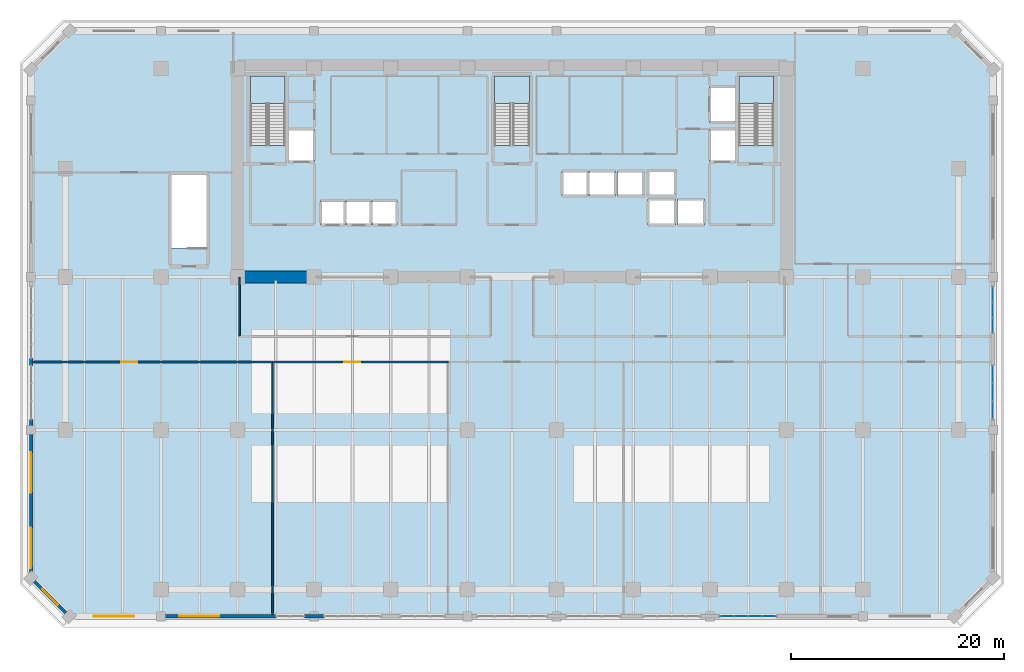
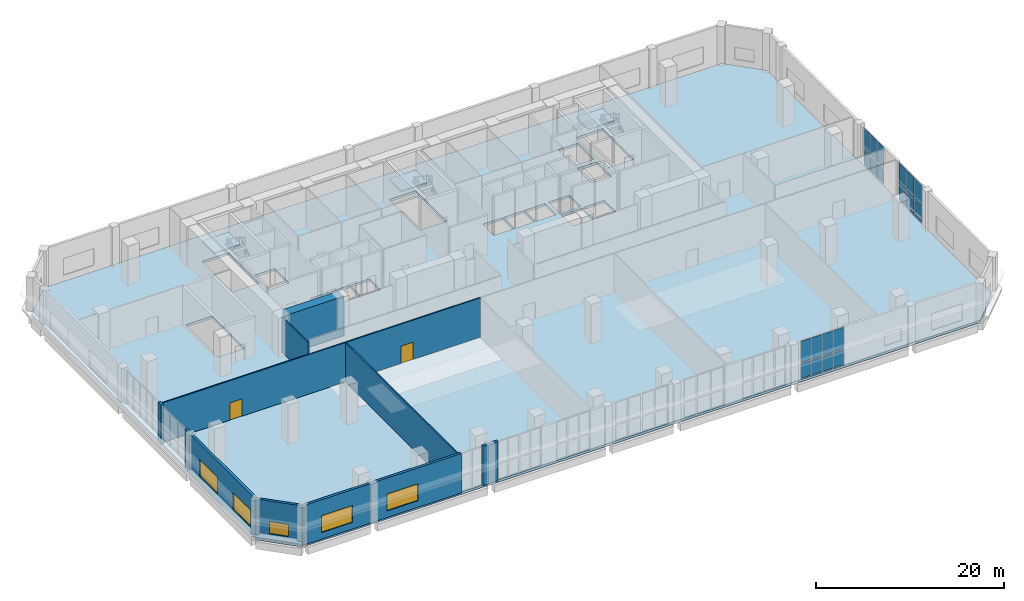
# One storey, part 17 of 25: 20 plates, 10 walls, 5 windows, 4 slabs, 2 doors, 7 openings, 6 elements without a shape of their own.
"""IFC4 building model written with IfcOpenShell, lengths in metres."""

from ifc_helpers import new_model, si_unit, direction, frame, frame_2d, origin, origin_2d, place, context, subcontext, project, spatial, polyline, rectangle, outline, extrude, material, layer, layer_set, type_object, element, fill, aggregate, save


model = new_model("IFC4")

# Units and contexts
model_context = context("Model", 3, precision=1e-05, world=origin(), true_north=direction((0.0, 1.0)))
body_context = subcontext(model_context, "Body", "Model", "MODEL_VIEW")
ifc_project = project(units=[si_unit("LENGTHUNIT", "METRE"), si_unit("AREAUNIT", "SQUARE_METRE"), si_unit("VOLUMEUNIT", "CUBIC_METRE"), si_unit("PLANEANGLEUNIT", "RADIAN"), si_unit("MASSUNIT", "GRAM", prefix="KILO")], contexts=[model_context])

# Site, building, storey
site_placement = place(None, origin())
site = spatial("IfcSite", under=ifc_project, at=site_placement, CompositionType="ELEMENT")
building_placement = place(site_placement, origin())
building = spatial("IfcBuilding", under=site, at=building_placement, Name="Kaelvorn Grand Hotel", CompositionType="ELEMENT")
storey_placement = place(building_placement, frame((0.0, 0.0, 26.0)))
storey = spatial("IfcBuildingStorey", under=building, at=storey_placement, Name="L04", CompositionType="ELEMENT", Elevation=26.0)

# Curtain wall, plates
ifc_material_1 = material(Name="Anodised Aluminium", Category="aluminium")
ifc_layer_1 = layer(ifc_material_1, 0.199951171875)
ifc_layer_set_1 = layer_set([ifc_layer_1], Name="Anodised Aluminium")
curtain_wall_type = type_object("IfcCurtainWallType", Name="CW-SYS2", PredefinedType="NOTDEFINED", material=ifc_layer_set_1)
curtain_wall_1_placement = place(storey_placement, origin())
curtain_wall_1 = element("IfcCurtainWall", 1, at=curtain_wall_1_placement, inside=storey, type_object=curtain_wall_type, Name="L04 Unitised Curtain Wall CW2 (CW-L04-S-07)", PredefinedType="NOTDEFINED")
ifc_material_2 = material(Name="Laminated Low-E Glass", Category="glass")
ifc_layer_2 = layer(ifc_material_2, 0.031982421875)
ifc_layer_set_2 = layer_set([ifc_layer_2], Name="Laminated Low-E Glass")
plate_type = type_object("IfcPlateType", Name="CW-SYS2-PAN", PredefinedType="CURTAIN_PANEL", material=ifc_layer_set_2)
plate_1_placement = place(storey_placement, frame((62.208740234375, -2.5, 0.150146484375), z_axis=(0.0, 0.0, 1.0), x_axis=(1.0, 0.0, 0.0)))
plate_1 = element("IfcPlate", 2, at=plate_1_placement, type_object=plate_type, Name="CW2 panel 1.1", PredefinedType="CURTAIN_PANEL", context=body_context, shape_type="SweptSolid", body=[
    extrude(rectangle(XDim=1.2275390625, YDim=0.031982421875, at=origin_2d()), origin(), (0.0, 0.0, 1.0), 1.92529296875),
])
plate_2_placement = place(storey_placement, frame((62.208740234375, -2.5, 2.225341796875), z_axis=(0.0, 0.0, 1.0), x_axis=(1.0, 0.0, 0.0)))
plate_2 = element("IfcPlate", 3, at=plate_2_placement, type_object=plate_type, Name="CW2 panel 1.2", PredefinedType="CURTAIN_PANEL", context=body_context, shape_type="SweptSolid", body=[
    extrude(rectangle(XDim=1.2275390625, YDim=0.031982421875, at=origin_2d()), origin(), (0.0, 0.0, 1.0), 2.74462890625),
])
plate_3_placement = place(storey_placement, frame((63.530029296875, -2.5, 0.150146484375), z_axis=(0.0, 0.0, 1.0), x_axis=(1.0, 0.0, 0.0)))
plate_3 = element("IfcPlate", 4, at=plate_3_placement, type_object=plate_type, Name="CW2 panel 2.1", PredefinedType="CURTAIN_PANEL", context=body_context, shape_type="SweptSolid", body=[
    extrude(rectangle(XDim=1.264892578125, YDim=0.031982421875, at=origin_2d()), origin(), (0.0, 0.0, 1.0), 1.92529296875),
])
plate_4_placement = place(storey_placement, frame((63.530029296875, -2.5, 2.225341796875), z_axis=(0.0, 0.0, 1.0), x_axis=(1.0, 0.0, 0.0)))
plate_4 = element("IfcPlate", 5, at=plate_4_placement, type_object=plate_type, Name="CW2 panel 2.2", PredefinedType="CURTAIN_PANEL", context=body_context, shape_type="SweptSolid", body=[
    extrude(rectangle(XDim=1.264892578125, YDim=0.031982421875, at=origin_2d()), origin(), (0.0, 0.0, 1.0), 2.74462890625),
])
plate_5_placement = place(storey_placement, frame((64.8701171875, -2.5, 0.150146484375), z_axis=(0.0, 0.0, 1.0), x_axis=(1.0, 0.0, 0.0)))
plate_5 = element("IfcPlate", 6, at=plate_5_placement, type_object=plate_type, Name="CW2 panel 3.1", PredefinedType="CURTAIN_PANEL", context=body_context, shape_type="SweptSolid", body=[
    extrude(rectangle(XDim=1.264892578125, YDim=0.031982421875, at=origin_2d()), origin(), (0.0, 0.0, 1.0), 1.92529296875),
])
plate_6_placement = place(storey_placement, frame((64.8701171875, -2.5, 2.225341796875), z_axis=(0.0, 0.0, 1.0), x_axis=(1.0, 0.0, 0.0)))
plate_6 = element("IfcPlate", 7, at=plate_6_placement, type_object=plate_type, Name="CW2 panel 3.2", PredefinedType="CURTAIN_PANEL", context=body_context, shape_type="SweptSolid", body=[
    extrude(rectangle(XDim=1.264892578125, YDim=0.031982421875, at=origin_2d()), origin(), (0.0, 0.0, 1.0), 2.74462890625),
])
plate_7_placement = place(storey_placement, frame((66.191162109375, -2.5, 0.150146484375), z_axis=(0.0, 0.0, 1.0), x_axis=(1.0, 0.0, 0.0)))
plate_7 = element("IfcPlate", 8, at=plate_7_placement, type_object=plate_type, Name="CW2 panel 4.1", PredefinedType="CURTAIN_PANEL", context=body_context, shape_type="SweptSolid", body=[
    extrude(rectangle(XDim=1.2275390625, YDim=0.031982421875, at=origin_2d()), origin(), (0.0, 0.0, 1.0), 1.92529296875),
])
plate_8_placement = place(storey_placement, frame((66.191162109375, -2.5, 2.225341796875), z_axis=(0.0, 0.0, 1.0), x_axis=(1.0, 0.0, 0.0)))
plate_8 = element("IfcPlate", 9, at=plate_8_placement, type_object=plate_type, Name="CW2 panel 4.2", PredefinedType="CURTAIN_PANEL", context=body_context, shape_type="SweptSolid", body=[
    extrude(rectangle(XDim=1.2275390625, YDim=0.031982421875, at=origin_2d()), origin(), (0.0, 0.0, 1.0), 2.74462890625),
])
aggregate(curtain_wall_1, [plate_1, plate_2, plate_3, plate_4, plate_5, plate_6, plate_7, plate_8])

curtain_wall_2_placement = place(storey_placement, origin())
curtain_wall_2 = element("IfcCurtainWall", 10, at=curtain_wall_2_placement, inside=storey, type_object=curtain_wall_type, Name="L04 Unitised Curtain Wall CW2 (CW-L04-E-01)", PredefinedType="NOTDEFINED")
plate_9_placement = place(storey_placement, frame((87.199951171875, 16.865478515625, 0.150146484375), z_axis=(0.0, 0.0, 1.0), x_axis=(0.0, 1.0, 0.0)))
plate_9 = element("IfcPlate", 11, at=plate_9_placement, type_object=plate_type, Name="CW2 panel 1.1", PredefinedType="CURTAIN_PANEL", context=body_context, shape_type="SweptSolid", body=[
    extrude(rectangle(XDim=1.580810546875, YDim=0.031982421875, at=origin_2d()), origin(), (0.0, 0.0, 1.0), 1.92529296875),
])
plate_10_placement = place(storey_placement, frame((87.199951171875, 16.865478515625, 2.225341796875), z_axis=(0.0, 0.0, 1.0), x_axis=(0.0, 1.0, 0.0)))
plate_10 = element("IfcPlate", 12, at=plate_10_placement, type_object=plate_type, Name="CW2 panel 1.2", PredefinedType="CURTAIN_PANEL", context=body_context, shape_type="SweptSolid", body=[
    extrude(rectangle(XDim=1.580810546875, YDim=0.031982421875, at=origin_2d()), origin(), (0.0, 0.0, 1.0), 2.74462890625),
])
plate_11_placement = place(storey_placement, frame((87.199951171875, 18.5400390625, 0.150146484375), z_axis=(0.0, 0.0, 1.0), x_axis=(0.0, 1.0, 0.0)))
plate_11 = element("IfcPlate", 13, at=plate_11_placement, type_object=plate_type, Name="CW2 panel 2.1", PredefinedType="CURTAIN_PANEL", context=body_context, shape_type="SweptSolid", body=[
    extrude(rectangle(XDim=1.618408203125, YDim=0.031982421875, at=origin_2d()), origin(), (0.0, 0.0, 1.0), 1.92529296875),
])
plate_12_placement = place(storey_placement, frame((87.199951171875, 18.5400390625, 2.225341796875), z_axis=(0.0, 0.0, 1.0), x_axis=(0.0, 1.0, 0.0)))
plate_12 = element("IfcPlate", 14, at=plate_12_placement, type_object=plate_type, Name="CW2 panel 2.2", PredefinedType="CURTAIN_PANEL", context=body_context, shape_type="SweptSolid", body=[
    extrude(rectangle(XDim=1.618408203125, YDim=0.031982421875, at=origin_2d()), origin(), (0.0, 0.0, 1.0), 2.74462890625),
])
plate_13_placement = place(storey_placement, frame((87.199951171875, 20.214599609375, 0.150146484375), z_axis=(0.0, 0.0, 1.0), x_axis=(0.0, 1.0, 0.0)))
plate_13 = element("IfcPlate", 15, at=plate_13_placement, type_object=plate_type, Name="CW2 panel 3.1", PredefinedType="CURTAIN_PANEL", context=body_context, shape_type="SweptSolid", body=[
    extrude(rectangle(XDim=1.580810546875, YDim=0.031982421875, at=origin_2d()), origin(), (0.0, 0.0, 1.0), 1.92529296875),
])
plate_14_placement = place(storey_placement, frame((87.199951171875, 20.214599609375, 2.225341796875), z_axis=(0.0, 0.0, 1.0), x_axis=(0.0, 1.0, 0.0)))
plate_14 = element("IfcPlate", 16, at=plate_14_placement, type_object=plate_type, Name="CW2 panel 3.2", PredefinedType="CURTAIN_PANEL", context=body_context, shape_type="SweptSolid", body=[
    extrude(rectangle(XDim=1.580810546875, YDim=0.031982421875, at=origin_2d()), origin(), (0.0, 0.0, 1.0), 2.74462890625),
])
aggregate(curtain_wall_2, [plate_9, plate_10, plate_11, plate_12, plate_13, plate_14])

curtain_wall_3_placement = place(storey_placement, origin())
curtain_wall_3 = element("IfcCurtainWall", 17, at=curtain_wall_3_placement, inside=storey, type_object=curtain_wall_type, Name="L04 Unitised Curtain Wall CW2 (CW-L04-E-02)", PredefinedType="NOTDEFINED")
plate_15_placement = place(storey_placement, frame((87.199951171875, 24.865478515625, 0.150146484375), z_axis=(0.0, 0.0, 1.0), x_axis=(0.0, 1.0, 0.0)))
plate_15 = element("IfcPlate", 18, at=plate_15_placement, type_object=plate_type, Name="CW2 panel 1.1", PredefinedType="CURTAIN_PANEL", context=body_context, shape_type="SweptSolid", body=[
    extrude(rectangle(XDim=1.3408203125, YDim=0.031982421875, at=origin_2d()), origin(), (0.0, 0.0, 1.0), 1.92529296875),
])
plate_16_placement = place(storey_placement, frame((87.199951171875, 24.865478515625, 2.225341796875), z_axis=(0.0, 0.0, 1.0), x_axis=(0.0, 1.0, 0.0)))
plate_16 = element("IfcPlate", 19, at=plate_16_placement, type_object=plate_type, Name="CW2 panel 1.2", PredefinedType="CURTAIN_PANEL", context=body_context, shape_type="SweptSolid", body=[
    extrude(rectangle(XDim=1.3408203125, YDim=0.031982421875, at=origin_2d()), origin(), (0.0, 0.0, 1.0), 2.74462890625),
])
plate_17_placement = place(storey_placement, frame((87.199951171875, 26.300048828125, 0.150146484375), z_axis=(0.0, 0.0, 1.0), x_axis=(0.0, 1.0, 0.0)))
plate_17 = element("IfcPlate", 20, at=plate_17_placement, type_object=plate_type, Name="CW2 panel 2.1", PredefinedType="CURTAIN_PANEL", context=body_context, shape_type="SweptSolid", body=[
    extrude(rectangle(XDim=1.37841796875, YDim=0.031982421875, at=origin_2d()), origin(), (0.0, 0.0, 1.0), 1.92529296875),
])
plate_18_placement = place(storey_placement, frame((87.199951171875, 26.300048828125, 2.225341796875), z_axis=(0.0, 0.0, 1.0), x_axis=(0.0, 1.0, 0.0)))
plate_18 = element("IfcPlate", 21, at=plate_18_placement, type_object=plate_type, Name="CW2 panel 2.2", PredefinedType="CURTAIN_PANEL", context=body_context, shape_type="SweptSolid", body=[
    extrude(rectangle(XDim=1.37841796875, YDim=0.031982421875, at=origin_2d()), origin(), (0.0, 0.0, 1.0), 2.74462890625),
])
plate_19_placement = place(storey_placement, frame((87.199951171875, 27.734619140625, 0.150146484375), z_axis=(0.0, 0.0, 1.0), x_axis=(0.0, 1.0, 0.0)))
plate_19 = element("IfcPlate", 22, at=plate_19_placement, type_object=plate_type, Name="CW2 panel 3.1", PredefinedType="CURTAIN_PANEL", context=body_context, shape_type="SweptSolid", body=[
    extrude(rectangle(XDim=1.3408203125, YDim=0.031982421875, at=origin_2d()), origin(), (0.0, 0.0, 1.0), 1.92529296875),
])
plate_20_placement = place(storey_placement, frame((87.199951171875, 27.734619140625, 2.225341796875), z_axis=(0.0, 0.0, 1.0), x_axis=(0.0, 1.0, 0.0)))
plate_20 = element("IfcPlate", 23, at=plate_20_placement, type_object=plate_type, Name="CW2 panel 3.2", PredefinedType="CURTAIN_PANEL", context=body_context, shape_type="SweptSolid", body=[
    extrude(rectangle(XDim=1.3408203125, YDim=0.031982421875, at=origin_2d()), origin(), (0.0, 0.0, 1.0), 2.74462890625),
])
aggregate(curtain_wall_3, [plate_15, plate_16, plate_17, plate_18, plate_19, plate_20])

# Slab
ifc_material_3 = material(Name="Concrete C40/50", Category="concrete")
ifc_layer_3 = layer(ifc_material_3, 0.320068359375)
ifc_layer_set_3 = layer_set([ifc_layer_3], Name="Concrete C40/50")
slab_type_1 = type_object("IfcSlabType", Name="SLB-FLR-320-C40", PredefinedType="FLOOR", material=ifc_layer_set_3)
slab_1_placement = place(storey_placement, frame((0.0, 0.0, -0.320068359375)))
element("IfcSlab", 24, at=slab_1_placement, inside=storey, type_object=slab_type_1, Name="L04 Indoor Suspended Floor Slab", PredefinedType="FLOOR", context=body_context, shape_type="SweptSolid", body=[
    extrude(outline(polyline([(0.39990234375, -2.5), (83.60009765625, -2.5), (87.199951171875, 1.10009765625), (87.199951171875, 48.89990234375), (83.60009765625, 52.5), (0.39990234375, 52.5), (-3.199951171875, 48.89990234375), (-3.199951171875, 1.10009765625), (0.39990234375, -2.5)]), holes=[polyline([(17.39990234375, 41.760009765625), (17.39990234375, 48.300048828125), (20.679931640625, 48.300048828125), (20.679931640625, 41.760009765625), (17.39990234375, 41.760009765625)]), polyline([(40.360107421875, 41.760009765625), (40.360107421875, 48.300048828125), (43.639892578125, 48.300048828125), (43.639892578125, 41.760009765625), (40.360107421875, 41.760009765625)]), polyline([(63.320068359375, 41.760009765625), (63.320068359375, 48.300048828125), (66.60009765625, 48.300048828125), (66.60009765625, 41.760009765625), (63.320068359375, 41.760009765625)]), polyline([(10.0, 32.110107421875), (10.0, 39.0), (13.280029296875, 39.0), (13.280029296875, 32.110107421875), (10.0, 32.110107421875)]), polyline([(24.0, 34.300048828125), (24.0, 36.60009765625), (26.300048828125, 36.60009765625), (26.300048828125, 34.300048828125), (24.0, 34.300048828125)]), polyline([(26.449951171875, 34.300048828125), (26.449951171875, 36.60009765625), (28.75, 36.60009765625), (28.75, 34.300048828125), (26.449951171875, 34.300048828125)]), polyline([(28.89990234375, 34.300048828125), (28.89990234375, 36.60009765625), (31.199951171875, 36.60009765625), (31.199951171875, 34.300048828125), (28.89990234375, 34.300048828125)]), polyline([(46.699951171875, 37.0), (46.699951171875, 39.35009765625), (49.14990234375, 39.35009765625), (49.14990234375, 37.0), (46.699951171875, 37.0)]), polyline([(49.300048828125, 37.0), (49.300048828125, 39.35009765625), (51.75, 39.35009765625), (51.75, 37.0), (49.300048828125, 37.0)]), polyline([(51.89990234375, 37.0), (51.89990234375, 39.35009765625), (54.35009765625, 39.35009765625), (54.35009765625, 37.0), (51.89990234375, 37.0)]), polyline([(54.800048828125, 34.300048828125), (54.800048828125, 36.699951171875), (57.35009765625, 36.699951171875), (57.35009765625, 34.300048828125), (54.800048828125, 34.300048828125)]), polyline([(57.550048828125, 34.300048828125), (57.550048828125, 36.699951171875), (60.10009765625, 36.699951171875), (60.10009765625, 34.300048828125), (57.550048828125, 34.300048828125)]), polyline([(54.800048828125, 37.0), (54.800048828125, 39.39990234375), (57.35009765625, 39.39990234375), (57.35009765625, 37.0), (54.800048828125, 37.0)]), polyline([(21.0, 40.199951171875), (21.0, 43.300048828125), (23.449951171875, 43.300048828125), (23.449951171875, 40.199951171875), (21.0, 40.199951171875)]), polyline([(60.550048828125, 40.199951171875), (60.550048828125, 43.300048828125), (63.0, 43.300048828125), (63.0, 40.199951171875), (60.550048828125, 40.199951171875)]), polyline([(60.550048828125, 43.89990234375), (60.550048828125, 47.300048828125), (63.0, 47.300048828125), (63.0, 43.89990234375), (60.550048828125, 43.89990234375)])]), origin(), (0.0, 0.0, 1.0), 0.320068359375),
])

# Stair, slab
stair_type = type_object("IfcStairType", Name="STR-DOG-1560-R04", PredefinedType="HALF_TURN_STAIR", material=ifc_material_3)
stair_1_placement = place(storey_placement, origin())
stair_1 = element("IfcStair", 25, at=stair_1_placement, inside=storey, type_object=stair_type, Name="L04 West Core Exit Stair ST1", PredefinedType="HALF_TURN_STAIR")
ifc_layer_4 = layer(ifc_material_3, 0.199951171875)
ifc_layer_set_4 = layer_set([ifc_layer_4], Name="Concrete C40/50")
slab_type_2 = type_object("IfcSlabType", Name="SLB-LAND-200-C40", PredefinedType="LANDING", material=ifc_layer_set_4)
slab_2_placement = place(storey_placement, frame((0.0, 0.0, 2.5)))
slab_2 = element("IfcSlab", 26, at=slab_2_placement, type_object=slab_type_2, Name="ST1 landing 1", PredefinedType="LANDING", context=body_context, shape_type="SweptSolid", body=[
    extrude(outline(polyline([(20.679931640625, 45.679931640625), (20.679931640625, 48.300048828125), (17.39990234375, 48.300048828125), (17.39990234375, 45.679931640625), (20.679931640625, 45.679931640625)])), origin(), (0.0, 0.0, 1.0), 0.199951171875),
])
aggregate(stair_1, [slab_2])

stair_2_placement = place(storey_placement, origin())
stair_2 = element("IfcStair", 27, at=stair_2_placement, inside=storey, type_object=stair_type, Name="L04 Central Core Exit Stair ST2", PredefinedType="HALF_TURN_STAIR")
slab_3_placement = place(storey_placement, frame((0.0, 0.0, 2.5)))
slab_3 = element("IfcSlab", 28, at=slab_3_placement, type_object=slab_type_2, Name="ST2 landing 1", PredefinedType="LANDING", context=body_context, shape_type="SweptSolid", body=[
    extrude(outline(polyline([(43.639892578125, 45.679931640625), (43.639892578125, 48.300048828125), (40.360107421875, 48.300048828125), (40.360107421875, 45.679931640625), (43.639892578125, 45.679931640625)])), origin(), (0.0, 0.0, 1.0), 0.199951171875),
])
aggregate(stair_2, [slab_3])

stair_3_placement = place(storey_placement, origin())
stair_3 = element("IfcStair", 29, at=stair_3_placement, inside=storey, type_object=stair_type, Name="L04 East Core Exit Stair ST3", PredefinedType="HALF_TURN_STAIR")
slab_4_placement = place(storey_placement, frame((0.0, 0.0, 2.5)))
slab_4 = element("IfcSlab", 30, at=slab_4_placement, type_object=slab_type_2, Name="ST3 landing 1", PredefinedType="LANDING", context=body_context, shape_type="SweptSolid", body=[
    extrude(outline(polyline([(66.60009765625, 45.679931640625), (66.60009765625, 48.300048828125), (63.320068359375, 48.300048828125), (63.320068359375, 45.679931640625), (66.60009765625, 45.679931640625)])), origin(), (0.0, 0.0, 1.0), 0.199951171875),
])
aggregate(stair_3, [slab_4])

# Wall
ifc_material_4 = material(Name="Concrete C80/95", Category="concrete")
ifc_layer_5 = layer(ifc_material_4, 1.10009765625)
ifc_layer_set_5 = layer_set([ifc_layer_5], Name="Concrete C80/95")
wall_type_1 = type_object("IfcWallType", Name="WL-CORE-1100-C80", PredefinedType="SHEAR", material=ifc_layer_set_5)
wall_1_placement = place(storey_placement, frame((16.7548828125, 29.39990234375, 0.0), z_axis=(0.0, 0.0, 1.0), x_axis=(1.0, 0.0, 0.0)))
element("IfcWall", 31, at=wall_1_placement, inside=storey, type_object=wall_type_1, Name="L04 Rear-Core Coupled Shear Pier S1", PredefinedType="SHEAR", context=body_context, shape_type="SweptSolid", body=[
    extrude(rectangle(XDim=6.84521484375, YDim=1.10009765625, at=frame_2d((3.422607421875, 0.0))), origin(), (0.0, 0.0, 1.0), 5.1201171875),
])

# Wall, openings, windows
ifc_layer_6 = layer(ifc_material_3, 0.300048828125)
ifc_layer_set_6 = layer_set([ifc_layer_6], Name="Concrete C40/50")
wall_type_2 = type_object("IfcWallType", Name="WL-EXT-300-C40", PredefinedType="SOLIDWALL", material=ifc_layer_set_6)
wall_2_placement = place(storey_placement, frame((0.39990234375, -2.5, 0.0), z_axis=(0.0, 0.0, 1.0), x_axis=(1.0, 0.0, 0.0)))
wall_2 = element("IfcWall", 32, at=wall_2_placement, inside=storey, type_object=wall_type_2, Name="L04 Exterior Architectural Concrete Wall 01 Pier 1", PredefinedType="SOLIDWALL", context=body_context, shape_type="SweptSolid", body=[
    extrude(rectangle(XDim=19.425048828125, YDim=0.300048828125, at=frame_2d((9.71240234375, 0.0))), origin(), (0.0, 0.0, 1.0), 5.1201171875),
])
opening_1_placement = place(wall_2_placement, frame((2.27490234375, 0.0, 0.85009765625)))
opening_1 = element("IfcOpeningElement", 33, at=opening_1_placement, cuts=wall_2, Name="Opening W9", PredefinedType="OPENING", context=body_context, shape_type="SweptSolid", body=[
    extrude(rectangle(XDim=3.800048828125, YDim=2.199951171875, at=frame_2d((1.89990234375, 1.10009765625))), frame((0.0, 0.16015625, 0.0), z_axis=(0.0, -1.0, 0.0), x_axis=(1.0, 0.0, 0.0)), (0.0, 0.0, 1.0), 0.320068359375),
])
opening_2_placement = place(wall_2_placement, frame((10.300048828125, 0.0, 0.85009765625)))
opening_2 = element("IfcOpeningElement", 34, at=opening_2_placement, cuts=wall_2, Name="Opening W9", PredefinedType="OPENING", context=body_context, shape_type="SweptSolid", body=[
    extrude(rectangle(XDim=3.800048828125, YDim=2.199951171875, at=frame_2d((1.89990234375, 1.10009765625))), frame((0.0, 0.16015625, 0.0), z_axis=(0.0, -1.0, 0.0), x_axis=(1.0, 0.0, 0.0)), (0.0, 0.0, 1.0), 0.320068359375),
])
window_type_1 = type_object("IfcWindowType", Name="WIN-POD-3800x2200", PartitioningType="SINGLE_PANEL", PredefinedType="WINDOW", material=ifc_material_2)
window_1_placement = place(opening_1_placement, origin())
window_1 = element("IfcWindow", 35, at=window_1_placement, inside=storey, type_object=window_type_1, Name="L04 Podium South Ribbon Window 1", OverallHeight=2.199951171875, OverallWidth=3.800048828125, PartitioningType="SINGLE_PANEL", PredefinedType="WINDOW", context=body_context, shape_type="SweptSolid", body=[
    extrude(rectangle(XDim=3.800048828125, YDim=2.199951171875, at=frame_2d((1.89990234375, 1.10009765625))), frame((0.0, 0.030029296875, 0.0), z_axis=(0.0, -1.0, 0.0), x_axis=(1.0, 0.0, 0.0)), (0.0, 0.0, 1.0), 0.06005859375),
])
fill(opening_1, window_1)
window_2_placement = place(opening_2_placement, origin())
window_2 = element("IfcWindow", 36, at=window_2_placement, inside=storey, type_object=window_type_1, Name="L04 Podium South Ribbon Window 2", OverallHeight=2.199951171875, OverallWidth=3.800048828125, PartitioningType="SINGLE_PANEL", PredefinedType="WINDOW", context=body_context, shape_type="SweptSolid", body=[
    extrude(rectangle(XDim=3.800048828125, YDim=2.199951171875, at=frame_2d((1.89990234375, 1.10009765625))), frame((0.0, 0.030029296875, 0.0), z_axis=(0.0, -1.0, 0.0), x_axis=(1.0, 0.0, 0.0)), (0.0, 0.0, 1.0), 0.06005859375),
])
fill(opening_2, window_2)

# Walls
wall_3_placement = place(storey_placement, frame((22.47509765625, -2.5, 0.0), z_axis=(0.0, 0.0, 1.0), x_axis=(1.0, 0.0, 0.0)))
element("IfcWall", 37, at=wall_3_placement, inside=storey, type_object=wall_type_2, Name="L04 Exterior Architectural Concrete Wall 01 Pier 2", PredefinedType="SOLIDWALL", context=body_context, shape_type="SweptSolid", body=[
    extrude(rectangle(XDim=1.849853515625, YDim=0.300048828125, at=frame_2d((0.9248046875, 0.0))), origin(), (0.0, 0.0, 1.0), 5.1201171875),
])
wall_4_placement = place(storey_placement, frame((-3.199951171875, 21.72509765625, 0.0), z_axis=(0.0, 0.0, 1.0), x_axis=(0.0, -1.0, 0.0)))
element("IfcWall", 38, at=wall_4_placement, inside=storey, type_object=wall_type_2, Name="L04 Exterior Architectural Concrete Wall 07 Pier 2", PredefinedType="SOLIDWALL", context=body_context, shape_type="SweptSolid", body=[
    extrude(rectangle(XDim=0.650146484375, YDim=0.300048828125, at=frame_2d((0.3251953125, 0.0))), origin(), (0.0, 0.0, 1.0), 5.1201171875),
])

# Wall, openings, windows
wall_5_placement = place(storey_placement, frame((-3.199951171875, 16.0048828125, 0.0), z_axis=(0.0, 0.0, 1.0), x_axis=(0.0, -1.0, 0.0)))
wall_5 = element("IfcWall", 39, at=wall_5_placement, inside=storey, type_object=wall_type_2, Name="L04 Exterior Architectural Concrete Wall 07 Pier 3", PredefinedType="SOLIDWALL", context=body_context, shape_type="SweptSolid", body=[
    extrude(rectangle(XDim=14.90478515625, YDim=0.300048828125, at=frame_2d((7.452392578125, 0.0))), origin(), (0.0, 0.0, 1.0), 5.1201171875),
])
opening_3_placement = place(wall_5_placement, frame((10.179931640625, 0.0, 0.85009765625)))
opening_3 = element("IfcOpeningElement", 40, at=opening_3_placement, cuts=wall_5, Name="Opening W9", PredefinedType="OPENING", context=body_context, shape_type="SweptSolid", body=[
    extrude(rectangle(XDim=3.800048828125, YDim=2.199951171875, at=frame_2d((1.89990234375, 1.10009765625))), frame((0.0, 0.16015625, 0.0), z_axis=(0.0, -1.0, 0.0), x_axis=(1.0, 0.0, 0.0)), (0.0, 0.0, 1.0), 0.320068359375),
])
opening_4_placement = place(wall_5_placement, frame((3.10498046875, 0.0, 0.85009765625)))
opening_4 = element("IfcOpeningElement", 41, at=opening_4_placement, cuts=wall_5, Name="Opening W9", PredefinedType="OPENING", context=body_context, shape_type="SweptSolid", body=[
    extrude(rectangle(XDim=3.800048828125, YDim=2.199951171875, at=frame_2d((1.89990234375, 1.10009765625))), frame((0.0, 0.16015625, 0.0), z_axis=(0.0, -1.0, 0.0), x_axis=(1.0, 0.0, 0.0)), (0.0, 0.0, 1.0), 0.320068359375),
])
window_3_placement = place(opening_3_placement, origin())
window_3 = element("IfcWindow", 42, at=window_3_placement, inside=storey, type_object=window_type_1, Name="L04 Podium W Ribbon Window 1", OverallHeight=2.199951171875, OverallWidth=3.800048828125, PartitioningType="SINGLE_PANEL", PredefinedType="WINDOW", context=body_context, shape_type="SweptSolid", body=[
    extrude(rectangle(XDim=3.800048828125, YDim=2.199951171875, at=frame_2d((1.89990234375, 1.10009765625))), frame((0.0, 0.030029296875, 0.0), z_axis=(0.0, -1.0, 0.0), x_axis=(1.0, 0.0, 0.0)), (0.0, 0.0, 1.0), 0.06005859375),
])
fill(opening_3, window_3)
window_4_placement = place(opening_4_placement, origin())
window_4 = element("IfcWindow", 43, at=window_4_placement, inside=storey, type_object=window_type_1, Name="L04 Podium W Ribbon Window 2", OverallHeight=2.199951171875, OverallWidth=3.800048828125, PartitioningType="SINGLE_PANEL", PredefinedType="WINDOW", context=body_context, shape_type="SweptSolid", body=[
    extrude(rectangle(XDim=3.800048828125, YDim=2.199951171875, at=frame_2d((1.89990234375, 1.10009765625))), frame((0.0, 0.030029296875, 0.0), z_axis=(0.0, -1.0, 0.0), x_axis=(1.0, 0.0, 0.0)), (0.0, 0.0, 1.0), 0.06005859375),
])
fill(opening_4, window_4)

# Wall, opening, window
wall_6_placement = place(storey_placement, frame((-3.199951171875, 1.10009765625, 0.0), z_axis=(0.0, 0.0, 1.0), x_axis=(0.707082803744, -0.707130757816, 0.0)))
wall_6 = element("IfcWall", 44, at=wall_6_placement, inside=storey, type_object=wall_type_2, Name="L04 Exterior Architectural Concrete Wall 08", PredefinedType="SOLIDWALL", context=body_context, shape_type="SweptSolid", body=[
    extrude(rectangle(XDim=5.091064453125, YDim=0.300048828125, at=frame_2d((2.54541015625, 0.0))), origin(), (0.0, 0.0, 1.0), 5.1201171875),
])
opening_5_placement = place(wall_6_placement, frame((1.49560546875, 0.0, 0.85009765625)))
opening_5 = element("IfcOpeningElement", 45, at=opening_5_placement, cuts=wall_6, Name="Opening W7", PredefinedType="OPENING", context=body_context, shape_type="SweptSolid", body=[
    extrude(rectangle(XDim=2.10009765625, YDim=1.60009765625, at=frame_2d((1.050048828125, 0.800048828125))), frame((0.0, 0.16015625, 0.0), z_axis=(0.0, -1.0, 0.0), x_axis=(1.0, 0.0, 0.0)), (0.0, 0.0, 1.0), 0.320068359375),
])
window_type_2 = type_object("IfcWindowType", Name="WIN-CHM-2100x1600", PartitioningType="SINGLE_PANEL", PredefinedType="WINDOW", material=ifc_material_2)
window_5_placement = place(opening_5_placement, origin())
window_5 = element("IfcWindow", 46, at=window_5_placement, inside=storey, type_object=window_type_2, Name="L04 Chamfered 45-Degree Corner Window SW", OverallHeight=1.60009765625, OverallWidth=2.10009765625, PartitioningType="SINGLE_PANEL", PredefinedType="WINDOW", context=body_context, shape_type="SweptSolid", body=[
    extrude(rectangle(XDim=2.10009765625, YDim=1.60009765625, at=frame_2d((1.050048828125, 0.800048828125))), frame((0.0, 0.030029296875, 0.0), z_axis=(0.0, -1.0, 0.0), x_axis=(1.0, 0.0, 0.0)), (0.0, 0.0, 1.0), 0.06005859375),
])
fill(opening_5, window_5)

# Wall, opening, door
ifc_material_5 = material(Name="Acoustic Gypsum & Stud Partition")
ifc_layer_7 = layer(ifc_material_5, 0.14990234375)
ifc_layer_set_7 = layer_set([ifc_layer_7], Name="Acoustic Gypsum & Stud Partition")
wall_type_3 = type_object("IfcWallType", Name="WL-PART-150-EI60", PredefinedType="PARTITIONING", material=ifc_layer_set_7)
wall_7_placement = place(storey_placement, frame((-3.044921875, 21.39990234375, 0.0), z_axis=(0.0, 0.0, 1.0), x_axis=(1.0, 0.0, 0.0)))
wall_7 = element("IfcWall", 47, at=wall_7_placement, inside=storey, type_object=wall_type_3, Name="L04 Conference Salon A N Partition", PredefinedType="PARTITIONING", context=body_context, shape_type="SweptSolid", body=[
    extrude(rectangle(XDim=22.544921875, YDim=0.14990234375, at=frame_2d((11.2724609375, 0.0))), origin(), (0.0, 0.0, 1.0), 5.1201171875),
])
opening_6_placement = place(wall_7_placement, frame((8.294921875, 0.0, 0.0)))
opening_6 = element("IfcOpeningElement", 48, at=opening_6_placement, cuts=wall_7, Name="Opening DI5", PredefinedType="OPENING", context=body_context, shape_type="SweptSolid", body=[
    extrude(rectangle(XDim=1.5, YDim=2.25, at=frame_2d((0.75, 1.125))), frame((0.0, 0.0849609375, 0.0), z_axis=(0.0, -1.0, 0.0), x_axis=(1.0, 0.0, 0.0)), (0.0, 0.0, 1.0), 0.169921875),
])
ifc_material_6 = material(Name="Timber Veneer Fire Leaf", Category="wood")
door_type = type_object("IfcDoorType", Name="DR-INT-SALON-1500x2250", OperationType="DOUBLE_DOOR_SINGLE_SWING", PredefinedType="DOOR", material=ifc_material_6)
door_1_placement = place(opening_6_placement, origin())
door_1 = element("IfcDoor", 49, at=door_1_placement, inside=storey, type_object=door_type, Name="L04 Conference Salon A Door", OperationType="DOUBLE_DOOR_SINGLE_SWING", OverallHeight=2.25, OverallWidth=1.5, PredefinedType="DOOR", context=body_context, shape_type="SweptSolid", body=[
    extrude(rectangle(XDim=1.5, YDim=2.25, at=frame_2d((0.75, 1.125))), frame((0.0, 0.02490234375, 0.0), z_axis=(0.0, -1.0, 0.0), x_axis=(1.0, 0.0, 0.0)), (0.0, 0.0, 1.0), 0.050048828125),
])
fill(opening_6, door_1)

# Wall
wall_8_placement = place(storey_placement, frame((19.5, -2.344970703125, 0.0), z_axis=(0.0, 0.0, 1.0), x_axis=(0.0, 1.0, 0.0)))
element("IfcWall", 50, at=wall_8_placement, inside=storey, type_object=wall_type_3, Name="L04 Conference Salon A E Partition", PredefinedType="PARTITIONING", context=body_context, shape_type="SweptSolid", body=[
    extrude(rectangle(XDim=23.6650390625, YDim=0.14990234375, at=frame_2d((11.83251953125, 0.0))), origin(), (0.0, 0.0, 1.0), 5.1201171875),
])

# Wall, opening, door
wall_9_placement = place(storey_placement, frame((19.580078125, 21.39990234375, 0.0), z_axis=(0.0, 0.0, 1.0), x_axis=(1.0, 0.0, 0.0)))
wall_9 = element("IfcWall", 51, at=wall_9_placement, inside=storey, type_object=wall_type_3, Name="L04 Conference Salon B N Partition", PredefinedType="PARTITIONING", context=body_context, shape_type="SweptSolid", body=[
    extrude(rectangle(XDim=16.419921875, YDim=0.14990234375, at=frame_2d((8.2099609375, 0.0))), origin(), (0.0, 0.0, 1.0), 5.1201171875),
])
opening_7_placement = place(wall_9_placement, frame((6.669921875, 0.0, 0.0)))
opening_7 = element("IfcOpeningElement", 52, at=opening_7_placement, cuts=wall_9, Name="Opening DI5", PredefinedType="OPENING", context=body_context, shape_type="SweptSolid", body=[
    extrude(rectangle(XDim=1.5, YDim=2.25, at=frame_2d((0.75, 1.125))), frame((0.0, 0.0849609375, 0.0), z_axis=(0.0, -1.0, 0.0), x_axis=(1.0, 0.0, 0.0)), (0.0, 0.0, 1.0), 0.169921875),
])
door_2_placement = place(opening_7_placement, origin())
door_2 = element("IfcDoor", 53, at=door_2_placement, inside=storey, type_object=door_type, Name="L04 Conference Salon B Door", OperationType="DOUBLE_DOOR_SINGLE_SWING", OverallHeight=2.25, OverallWidth=1.5, PredefinedType="DOOR", context=body_context, shape_type="SweptSolid", body=[
    extrude(rectangle(XDim=1.5, YDim=2.25, at=frame_2d((0.75, 1.125))), frame((0.0, 0.02490234375, 0.0), z_axis=(0.0, -1.0, 0.0), x_axis=(1.0, 0.0, 0.0)), (0.0, 0.0, 1.0), 0.050048828125),
])
fill(opening_7, door_2)

# Wall
wall_10_placement = place(storey_placement, frame((16.39990234375, 23.8798828125, 0.0), z_axis=(0.0, 0.0, 1.0), x_axis=(0.0, 1.0, 0.0)))
element("IfcWall", 54, at=wall_10_placement, inside=storey, type_object=wall_type_3, Name="L04 Hydrotherapy & Sauna Lounge W Partition", PredefinedType="PARTITIONING", context=body_context, shape_type="SweptSolid", body=[
    extrude(rectangle(XDim=5.510009765625, YDim=0.14990234375, at=frame_2d((2.7548828125, 0.0))), origin(), (0.0, 0.0, 1.0), 4.626953125),
])

save(model, "model.ifc")
